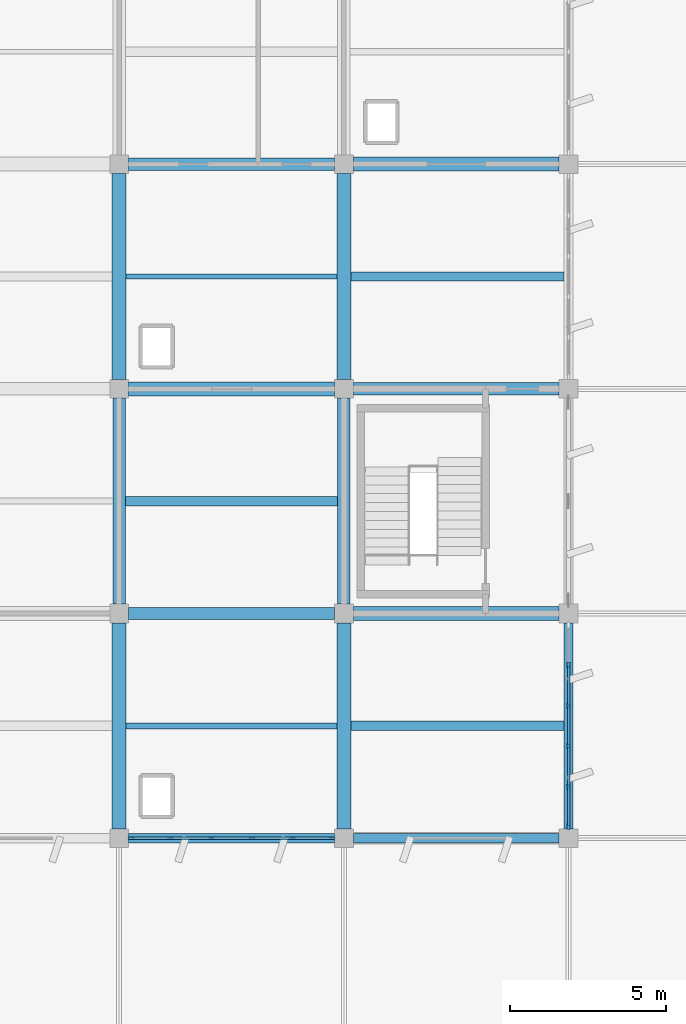
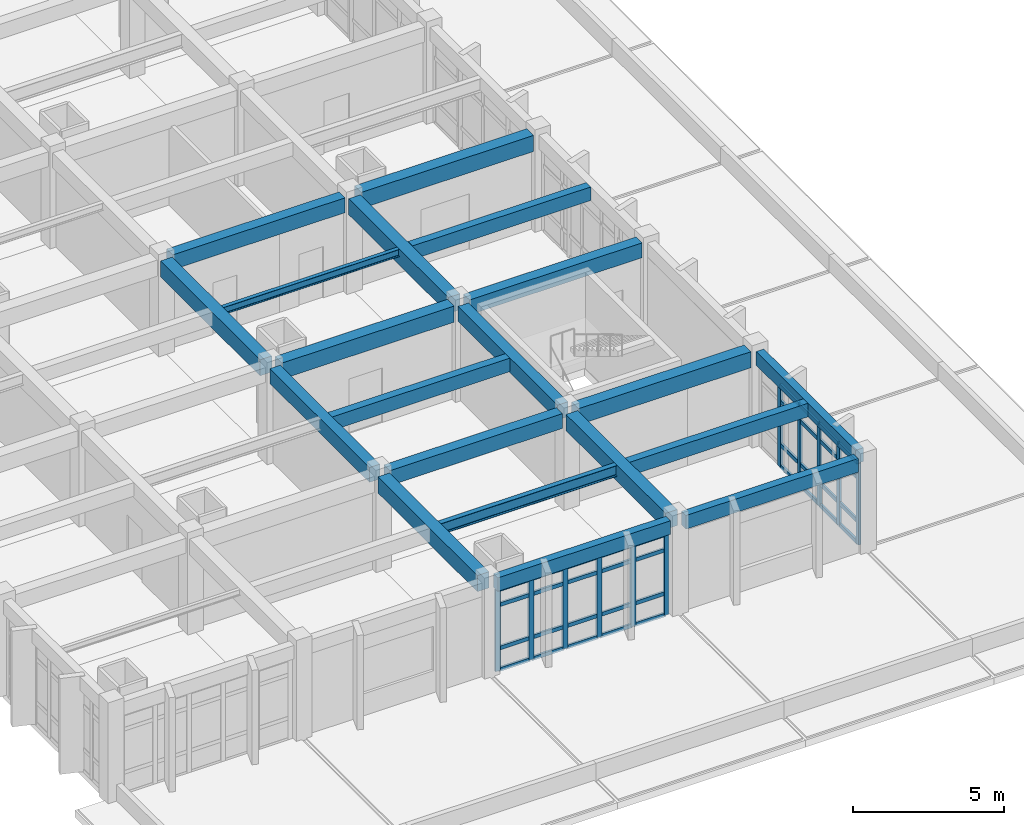
# One storey, part 22 of 62: 49 members, 18 beams, 2 elements without a shape of their own.
"""IFC4 building model written with IfcOpenShell, lengths in metres."""

from ifc_helpers import new_model, si_unit, direction, frame, origin, origin_2d, place, context, subcontext, project, spatial, rectangle, i_section, extrude, material, layer, layer_set, material_profile, profile_set, type_object, element, aggregate, save


model = new_model("IFC4")

# Units and contexts
model_context = context("Model", 3, precision=1e-05, world=origin(), true_north=direction((0.0, 1.0)))
body_context = subcontext(model_context, "Body", "Model", "MODEL_VIEW")
ifc_project = project(units=[si_unit("LENGTHUNIT", "METRE"), si_unit("AREAUNIT", "SQUARE_METRE"), si_unit("VOLUMEUNIT", "CUBIC_METRE"), si_unit("PLANEANGLEUNIT", "RADIAN"), si_unit("MASSUNIT", "GRAM", prefix="KILO")], contexts=[model_context])

# Site, building, storey
site_placement = place(None, origin())
site = spatial("IfcSite", under=ifc_project, at=site_placement, CompositionType="ELEMENT")
building_placement = place(site_placement, origin())
building = spatial("IfcBuilding", under=site, at=building_placement, Name="Kavelor Marine Aquarium", CompositionType="ELEMENT")
storey_placement = place(building_placement, frame((0.0, 0.0, 13.5)))
storey = spatial("IfcBuildingStorey", under=building, at=storey_placement, Name="L03", CompositionType="ELEMENT", Elevation=13.5)

# Beams
ifc_material_1 = material(Name="Concrete C40/50", Category="concrete")
ifc_material_profile_1 = material_profile(ifc_material_1, rectangle(XDim=0.449951171875, YDim=0.64990234375, at=origin_2d()), Name="RC-BM 450x650")
ifc_profile_set_1 = profile_set([ifc_material_profile_1], Name="Concrete C40/50")
beam_type_1 = type_object("IfcBeamType", Name="BM-B3", PredefinedType="BEAM", material=ifc_profile_set_1)
for number, where, z_axis, x_axis, name in (
    (1, (133.10009765625, 74.800048828125, 3.534912109375), (1.0, 0.0, 0.0), (0.0, 1.0, 0.0), "bm:x:L03:L04:18_10"),
    (2, (140.300048828125, 67.60009765625, 3.534912109375), (1.0, 0.0, 0.0), (0.0, 1.0, 0.0), "bm:x:L03:L04:19_09"),
    (3, (140.300048828125, 82.0, 3.554931640625), (1.0, 0.0, 0.0), (0.0, 1.0, 0.0), "bm:x:L03:L04:19_11"),
):
    element("IfcBeam", number, at=place(storey_placement, frame(where, z_axis=z_axis, x_axis=x_axis)), inside=storey, type_object=beam_type_1, Name=name, PredefinedType="BEAM", context=body_context, shape_type="SweptSolid", body=[
        extrude(rectangle(XDim=0.449951171875, YDim=0.64990234375, at=origin_2d()), origin(), (0.0, 0.0, 1.0), 6.599853515625),
    ])
beam_1_placement = place(storey_placement, frame((132.800048828125, 60.699951171875, 3.534912109375), z_axis=(0.0, 1.0, 0.0), x_axis=(-1.0, 0.0, 0.0)))
element("IfcBeam", 4, at=beam_1_placement, inside=storey, type_object=beam_type_1, Name="bm:y:L03:L04:18_08", PredefinedType="BEAM", context=body_context, shape_type="SweptSolid", body=[
    extrude(rectangle(XDim=0.449951171875, YDim=0.64990234375, at=origin_2d()), origin(), (0.0, 0.0, 1.0), 6.60009765625),
])
beam_2_placement = place(storey_placement, frame((132.800048828125, 75.10009765625, 3.534912109375), z_axis=(0.0, 1.0, 0.0), x_axis=(-1.0, 0.0, 0.0)))
element("IfcBeam", 5, at=beam_2_placement, inside=storey, type_object=beam_type_1, Name="bm:y:L03:L04:18_10", PredefinedType="BEAM", context=body_context, shape_type="SweptSolid", body=[
    extrude(rectangle(XDim=0.449951171875, YDim=0.64990234375, at=origin_2d()), origin(), (0.0, 0.0, 1.0), 6.599853515625),
])
beam_3_placement = place(storey_placement, frame((140.0, 60.699951171875, 3.534912109375), z_axis=(0.0, 1.0, 0.0), x_axis=(-1.0, 0.0, 0.0)))
element("IfcBeam", 6, at=beam_3_placement, inside=storey, type_object=beam_type_1, Name="bm:y:L03:L04:19_08", PredefinedType="BEAM", context=body_context, shape_type="SweptSolid", body=[
    extrude(rectangle(XDim=0.449951171875, YDim=0.64990234375, at=origin_2d()), origin(), (0.0, 0.0, 1.0), 6.60009765625),
])
beam_4_placement = place(storey_placement, frame((140.0, 75.10009765625, 3.534912109375), z_axis=(0.0, 1.0, 0.0), x_axis=(-1.0, 0.0, 0.0)))
element("IfcBeam", 7, at=beam_4_placement, inside=storey, type_object=beam_type_1, Name="bm:y:L03:L04:19_10", PredefinedType="BEAM", context=body_context, shape_type="SweptSolid", body=[
    extrude(rectangle(XDim=0.449951171875, YDim=0.64990234375, at=origin_2d()), origin(), (0.0, 0.0, 1.0), 6.599853515625),
])
ifc_material_2 = material(Name="Concrete C40/50", Category="concrete")
ifc_material_profile_2 = material_profile(ifc_material_2, rectangle(XDim=0.39990234375, YDim=0.60009765625, at=origin_2d()), Name="RC-BM 400x600")
ifc_profile_set_2 = profile_set([ifc_material_profile_2], Name="Concrete C40/50")
beam_type_2 = type_object("IfcBeamType", Name="BM-B4", PredefinedType="BEAM", material=ifc_profile_set_2)
for number, where, z_axis, x_axis, name in (
    (8, (133.10009765625, 67.60009765625, 3.56005859375), (1.0, 0.0, 0.0), (0.0, 1.0, 0.0), "bm:x:L03:L04:18_09"),
    (9, (133.10009765625, 82.0, 3.56005859375), (1.0, 0.0, 0.0), (0.0, 1.0, 0.0), "bm:x:L03:L04:18_11"),
    (10, (140.300048828125, 74.800048828125, 3.580078125), (1.0, 0.0, 0.0), (0.0, 1.0, 0.0), "bm:x:L03:L04:19_10"),
):
    element("IfcBeam", number, at=place(storey_placement, frame(where, z_axis=z_axis, x_axis=x_axis)), inside=storey, type_object=beam_type_2, Name=name, PredefinedType="BEAM", context=body_context, shape_type="SweptSolid", body=[
        extrude(rectangle(XDim=0.39990234375, YDim=0.60009765625, at=origin_2d()), origin(), (0.0, 0.0, 1.0), 6.599853515625),
    ])
for number, where, z_axis, x_axis, name in (
    (11, (132.800048828125, 67.89990234375, 3.56005859375), (0.0, 1.0, 0.0), (-1.0, 0.0, 0.0), "bm:y:L03:L04:18_09"),
    (12, (140.0, 67.89990234375, 3.56005859375), (0.0, 1.0, 0.0), (-1.0, 0.0, 0.0), "bm:y:L03:L04:19_09"),
):
    element("IfcBeam", number, at=place(storey_placement, frame(where, z_axis=z_axis, x_axis=x_axis)), inside=storey, type_object=beam_type_2, Name=name, PredefinedType="BEAM", context=body_context, shape_type="SweptSolid", body=[
        extrude(rectangle(XDim=0.39990234375, YDim=0.60009765625, at=origin_2d()), origin(), (0.0, 0.0, 1.0), 6.60009765625),
    ])
ifc_material_3 = material(Name="Concrete C40/50", Category="concrete")
ifc_material_profile_3 = material_profile(ifc_material_3, rectangle(XDim=0.300048828125, YDim=0.550048828125, at=origin_2d()), Name="RC-JS 300x550")
ifc_profile_set_3 = profile_set([ifc_material_profile_3], Name="Concrete C40/50")
beam_type_3 = type_object("IfcBeamType", Name="BM-JS2", PredefinedType="JOIST", material=ifc_profile_set_3)
beam_5_placement = place(storey_placement, frame((133.0, 71.199951171875, 3.5849609375), z_axis=(1.0, 0.0, 0.0), x_axis=(0.0, 1.0, 0.0)))
element("IfcBeam", 13, at=beam_5_placement, inside=storey, type_object=beam_type_3, Name="js:L03:L04:18_09", PredefinedType="JOIST", context=body_context, shape_type="SweptSolid", body=[
    extrude(rectangle(XDim=0.300048828125, YDim=0.550048828125, at=origin_2d()), origin(), (0.0, 0.0, 1.0), 6.800048828125),
])
for number, where, z_axis, x_axis, name in (
    (14, (140.22509765625, 64.0, 3.5849609375), (1.0, 0.0, 0.0), (0.0, 1.0, 0.0), "js:L03:L04:19_08"),
    (15, (140.22509765625, 78.39990234375, 3.60498046875), (1.0, 0.0, 0.0), (0.0, 1.0, 0.0), "js:L03:L04:19_10"),
):
    element("IfcBeam", number, at=place(storey_placement, frame(where, z_axis=z_axis, x_axis=x_axis)), inside=storey, type_object=beam_type_3, Name=name, PredefinedType="JOIST", context=body_context, shape_type="SweptSolid", body=[
        extrude(rectangle(XDim=0.300048828125, YDim=0.550048828125, at=origin_2d()), origin(), (0.0, 0.0, 1.0), 6.824951171875),
    ])
ifc_material_4 = material(Name="Concrete C40/50", Category="concrete")
ifc_material_profile_4 = material_profile(ifc_material_4, rectangle(XDim=0.300048828125, YDim=0.550048828125, at=origin_2d()), Name="RC-SP 300x550")
ifc_profile_set_4 = profile_set([ifc_material_profile_4], Name="Concrete C40/50")
beam_type_4 = type_object("IfcBeamType", Name="BM-SP2", PredefinedType="SPANDREL", material=ifc_profile_set_4)
for number, where, z_axis, x_axis, name in (
    (16, (133.10009765625, 60.39990234375, 3.5849609375), (1.0, 0.0, 0.0), (0.0, 1.0, 0.0), "bm:x:L03:L04:18_08"),
    (17, (140.300048828125, 60.39990234375, 3.5849609375), (1.0, 0.0, 0.0), (0.0, 1.0, 0.0), "bm:x:L03:L04:19_08"),
):
    element("IfcBeam", number, at=place(storey_placement, frame(where, z_axis=z_axis, x_axis=x_axis)), inside=storey, type_object=beam_type_4, Name=name, PredefinedType="SPANDREL", context=body_context, shape_type="SweptSolid", body=[
        extrude(rectangle(XDim=0.300048828125, YDim=0.550048828125, at=origin_2d()), origin(), (0.0, 0.0, 1.0), 6.599853515625),
    ])
beam_6_placement = place(storey_placement, frame((147.199951171875, 60.699951171875, 3.5849609375), z_axis=(0.0, 1.0, 0.0), x_axis=(-1.0, 0.0, 0.0)))
element("IfcBeam", 18, at=beam_6_placement, inside=storey, type_object=beam_type_4, Name="bm:y:L03:L04:20_08", PredefinedType="SPANDREL", context=body_context, shape_type="SweptSolid", body=[
    extrude(rectangle(XDim=0.300048828125, YDim=0.550048828125, at=origin_2d()), origin(), (0.0, 0.0, 1.0), 6.60009765625),
])

# Curtain wall, members
ifc_material_5 = material(Name="Thermally Broken Aluminium and Low-E Glass", Category="aluminium")
ifc_layer = layer(ifc_material_5, 0.2119140625)
ifc_layer_set = layer_set([ifc_layer], Name="CW-SYS9")
curtain_wall_type = type_object("IfcCurtainWallType", Name="CW-SYS9", PredefinedType="USERDEFINED", material=ifc_layer_set)
curtain_wall_1_placement = place(storey_placement, origin())
curtain_wall_1 = element("IfcCurtainWall", 19, at=curtain_wall_1_placement, inside=storey, type_object=curtain_wall_type, Name="cw:x:L03:18_08", ObjectType="Curtain Wall", PredefinedType="USERDEFINED")
ifc_material_6 = material(Name="Anodised Aluminium Alloy 6063-T6", Category="aluminium")
ifc_material_profile_5 = material_profile(ifc_material_6, rectangle(XDim=0.0849609375, YDim=0.18994140625, at=origin_2d()), Name="CW-MUL 85x190")
ifc_profile_set_5 = profile_set([ifc_material_profile_5], Name="Anodised Aluminium Alloy 6063-T6")
member_type_1 = type_object("IfcMemberType", Name="CWM-3", PredefinedType="MULLION", material=ifc_profile_set_5)
member_1_placement = place(storey_placement, frame((139.625, 60.39990234375, 0.0), z_axis=(0.0, 0.0, 1.0), x_axis=(0.0, -1.0, 0.0)))
member_1 = element("IfcMember", 20, at=member_1_placement, type_object=member_type_1, Name="CW09 mullion 1", PredefinedType="MULLION", context=body_context, shape_type="SweptSolid", body=[
    extrude(rectangle(XDim=0.0849609375, YDim=0.18994140625, at=origin_2d()), origin(), (0.0, 0.0, 1.0), 3.300048828125),
])
member_2_placement = place(storey_placement, frame((138.35302734375, 60.39990234375, 0.0), z_axis=(0.0, 0.0, 1.0), x_axis=(0.0, -1.0, 0.0)))
member_2 = element("IfcMember", 21, at=member_2_placement, type_object=member_type_1, Name="CW09 mullion 2", PredefinedType="MULLION", context=body_context, shape_type="SweptSolid", body=[
    extrude(rectangle(XDim=0.0849609375, YDim=0.18994140625, at=origin_2d()), origin(), (0.0, 0.0, 1.0), 3.300048828125),
])
member_3_placement = place(storey_placement, frame((137.051025390625, 60.39990234375, 0.0), z_axis=(0.0, 0.0, 1.0), x_axis=(0.0, -1.0, 0.0)))
member_3 = element("IfcMember", 22, at=member_3_placement, type_object=member_type_1, Name="CW09 mullion 3", PredefinedType="MULLION", context=body_context, shape_type="SweptSolid", body=[
    extrude(rectangle(XDim=0.0849609375, YDim=0.18994140625, at=origin_2d()), origin(), (0.0, 0.0, 1.0), 3.300048828125),
])
member_4_placement = place(storey_placement, frame((135.7490234375, 60.39990234375, 0.0), z_axis=(0.0, 0.0, 1.0), x_axis=(0.0, -1.0, 0.0)))
member_4 = element("IfcMember", 23, at=member_4_placement, type_object=member_type_1, Name="CW09 mullion 4", PredefinedType="MULLION", context=body_context, shape_type="SweptSolid", body=[
    extrude(rectangle(XDim=0.0849609375, YDim=0.18994140625, at=origin_2d()), origin(), (0.0, 0.0, 1.0), 3.300048828125),
])
member_5_placement = place(storey_placement, frame((134.447021484375, 60.39990234375, 0.0), z_axis=(0.0, 0.0, 1.0), x_axis=(0.0, -1.0, 0.0)))
member_5 = element("IfcMember", 24, at=member_5_placement, type_object=member_type_1, Name="CW09 mullion 5", PredefinedType="MULLION", context=body_context, shape_type="SweptSolid", body=[
    extrude(rectangle(XDim=0.0849609375, YDim=0.18994140625, at=origin_2d()), origin(), (0.0, 0.0, 1.0), 3.300048828125),
])
member_6_placement = place(storey_placement, frame((133.175048828125, 60.39990234375, 0.0), z_axis=(0.0, 0.0, 1.0), x_axis=(0.0, -1.0, 0.0)))
member_6 = element("IfcMember", 25, at=member_6_placement, type_object=member_type_1, Name="CW09 mullion 6", PredefinedType="MULLION", context=body_context, shape_type="SweptSolid", body=[
    extrude(rectangle(XDim=0.0849609375, YDim=0.18994140625, at=origin_2d()), origin(), (0.0, 0.0, 1.0), 3.300048828125),
])

curtain_wall_2_placement = place(storey_placement, origin())
curtain_wall_2 = element("IfcCurtainWall", 26, at=curtain_wall_2_placement, inside=storey, type_object=curtain_wall_type, Name="cw:y:L03:20_08", ObjectType="Curtain Wall", PredefinedType="USERDEFINED")
member_7_placement = place(storey_placement, frame((147.199951171875, 60.77490234375, 0.0), z_axis=(0.0, 0.0, 1.0), x_axis=(-1.0, 0.0, 0.0)))
member_7 = element("IfcMember", 27, at=member_7_placement, type_object=member_type_1, Name="CW09 mullion 1", PredefinedType="MULLION", context=body_context, shape_type="SweptSolid", body=[
    extrude(rectangle(XDim=0.0849609375, YDim=0.18994140625, at=origin_2d()), origin(), (0.0, 0.0, 1.0), 3.300048828125),
])
member_8_placement = place(storey_placement, frame((147.199951171875, 62.047119140625, 0.0), z_axis=(0.0, 0.0, 1.0), x_axis=(-1.0, 0.0, 0.0)))
member_8 = element("IfcMember", 28, at=member_8_placement, type_object=member_type_1, Name="CW09 mullion 2", PredefinedType="MULLION", context=body_context, shape_type="SweptSolid", body=[
    extrude(rectangle(XDim=0.0849609375, YDim=0.18994140625, at=origin_2d()), origin(), (0.0, 0.0, 1.0), 3.300048828125),
])
member_9_placement = place(storey_placement, frame((147.199951171875, 63.34912109375, 0.0), z_axis=(0.0, 0.0, 1.0), x_axis=(-1.0, 0.0, 0.0)))
member_9 = element("IfcMember", 29, at=member_9_placement, type_object=member_type_1, Name="CW09 mullion 3", PredefinedType="MULLION", context=body_context, shape_type="SweptSolid", body=[
    extrude(rectangle(XDim=0.0849609375, YDim=0.18994140625, at=origin_2d()), origin(), (0.0, 0.0, 1.0), 3.300048828125),
])
member_10_placement = place(storey_placement, frame((147.199951171875, 64.65087890625, 0.0), z_axis=(0.0, 0.0, 1.0), x_axis=(-1.0, 0.0, 0.0)))
member_10 = element("IfcMember", 30, at=member_10_placement, type_object=member_type_1, Name="CW09 mullion 4", PredefinedType="MULLION", context=body_context, shape_type="SweptSolid", body=[
    extrude(rectangle(XDim=0.0849609375, YDim=0.18994140625, at=origin_2d()), origin(), (0.0, 0.0, 1.0), 3.300048828125),
])
member_11_placement = place(storey_placement, frame((147.199951171875, 65.952880859375, 0.0), z_axis=(0.0, 0.0, 1.0), x_axis=(-1.0, 0.0, 0.0)))
member_11 = element("IfcMember", 31, at=member_11_placement, type_object=member_type_1, Name="CW09 mullion 5", PredefinedType="MULLION", context=body_context, shape_type="SweptSolid", body=[
    extrude(rectangle(XDim=0.0849609375, YDim=0.18994140625, at=origin_2d()), origin(), (0.0, 0.0, 1.0), 3.300048828125),
])

# Member
ifc_material_7 = material(Name="Anodised Aluminium Alloy 6063-T6", Category="aluminium")
ifc_material_profile_6 = material_profile(ifc_material_7, rectangle(XDim=0.080078125, YDim=0.155029296875, at=origin_2d()), Name="CW-TRN 80x155")
ifc_profile_set_6 = profile_set([ifc_material_profile_6], Name="Anodised Aluminium Alloy 6063-T6")
member_type_2 = type_object("IfcMemberType", Name="CWT-2", PredefinedType="USERDEFINED", material=ifc_profile_set_6)
member_12_placement = place(storey_placement, frame((139.594970703125, 60.39990234375, 0.032470703125), z_axis=(-1.0, 0.0, 0.0), x_axis=(0.0, -1.0, 0.0)))
member_12 = element("IfcMember", 32, at=member_12_placement, type_object=member_type_2, Name="CW09 transom 1.1", ObjectType="TRANSOM", PredefinedType="USERDEFINED", context=body_context, shape_type="SweptSolid", body=[
    extrude(rectangle(XDim=0.080078125, YDim=0.155029296875, at=origin_2d()), origin(), (0.0, 0.0, 1.0), 1.2119140625),
])

member_13_placement = place(storey_placement, frame((139.594970703125, 60.39990234375, 0.89990234375), z_axis=(-1.0, 0.0, 0.0), x_axis=(0.0, -1.0, 0.0)))
member_13 = element("IfcMember", 33, at=member_13_placement, type_object=member_type_2, Name="CW09 transom 1.2", ObjectType="TRANSOM", PredefinedType="USERDEFINED", context=body_context, shape_type="SweptSolid", body=[
    extrude(rectangle(XDim=0.080078125, YDim=0.155029296875, at=origin_2d()), origin(), (0.0, 0.0, 1.0), 1.2119140625),
])

member_14_placement = place(storey_placement, frame((139.594970703125, 60.39990234375, 2.64990234375), z_axis=(-1.0, 0.0, 0.0), x_axis=(0.0, -1.0, 0.0)))
member_14 = element("IfcMember", 34, at=member_14_placement, type_object=member_type_2, Name="CW09 transom 1.3", ObjectType="TRANSOM", PredefinedType="USERDEFINED", context=body_context, shape_type="SweptSolid", body=[
    extrude(rectangle(XDim=0.080078125, YDim=0.155029296875, at=origin_2d()), origin(), (0.0, 0.0, 1.0), 1.2119140625),
])

member_15_placement = place(storey_placement, frame((139.594970703125, 60.39990234375, 3.267578125), z_axis=(-1.0, 0.0, 0.0), x_axis=(0.0, -1.0, 0.0)))
member_15 = element("IfcMember", 35, at=member_15_placement, type_object=member_type_2, Name="CW09 transom 1.4", ObjectType="TRANSOM", PredefinedType="USERDEFINED", context=body_context, shape_type="SweptSolid", body=[
    extrude(rectangle(XDim=0.080078125, YDim=0.155029296875, at=origin_2d()), origin(), (0.0, 0.0, 1.0), 1.2119140625),
])

member_16_placement = place(storey_placement, frame((138.322998046875, 60.39990234375, 0.032470703125), z_axis=(-1.0, 0.0, 0.0), x_axis=(0.0, -1.0, 0.0)))
member_16 = element("IfcMember", 36, at=member_16_placement, type_object=member_type_2, Name="CW09 transom 2.1", ObjectType="TRANSOM", PredefinedType="USERDEFINED", context=body_context, shape_type="SweptSolid", body=[
    extrude(rectangle(XDim=0.080078125, YDim=0.155029296875, at=origin_2d()), origin(), (0.0, 0.0, 1.0), 1.241943359375),
])

member_17_placement = place(storey_placement, frame((138.322998046875, 60.39990234375, 0.89990234375), z_axis=(-1.0, 0.0, 0.0), x_axis=(0.0, -1.0, 0.0)))
member_17 = element("IfcMember", 37, at=member_17_placement, type_object=member_type_2, Name="CW09 transom 2.2", ObjectType="TRANSOM", PredefinedType="USERDEFINED", context=body_context, shape_type="SweptSolid", body=[
    extrude(rectangle(XDim=0.080078125, YDim=0.155029296875, at=origin_2d()), origin(), (0.0, 0.0, 1.0), 1.241943359375),
])

member_18_placement = place(storey_placement, frame((138.322998046875, 60.39990234375, 2.64990234375), z_axis=(-1.0, 0.0, 0.0), x_axis=(0.0, -1.0, 0.0)))
member_18 = element("IfcMember", 38, at=member_18_placement, type_object=member_type_2, Name="CW09 transom 2.3", ObjectType="TRANSOM", PredefinedType="USERDEFINED", context=body_context, shape_type="SweptSolid", body=[
    extrude(rectangle(XDim=0.080078125, YDim=0.155029296875, at=origin_2d()), origin(), (0.0, 0.0, 1.0), 1.241943359375),
])

member_19_placement = place(storey_placement, frame((138.322998046875, 60.39990234375, 3.267578125), z_axis=(-1.0, 0.0, 0.0), x_axis=(0.0, -1.0, 0.0)))
member_19 = element("IfcMember", 39, at=member_19_placement, type_object=member_type_2, Name="CW09 transom 2.4", ObjectType="TRANSOM", PredefinedType="USERDEFINED", context=body_context, shape_type="SweptSolid", body=[
    extrude(rectangle(XDim=0.080078125, YDim=0.155029296875, at=origin_2d()), origin(), (0.0, 0.0, 1.0), 1.241943359375),
])

member_20_placement = place(storey_placement, frame((137.02099609375, 60.39990234375, 0.032470703125), z_axis=(-1.0, 0.0, 0.0), x_axis=(0.0, -1.0, 0.0)))
member_20 = element("IfcMember", 40, at=member_20_placement, type_object=member_type_2, Name="CW09 transom 3.1", ObjectType="TRANSOM", PredefinedType="USERDEFINED", context=body_context, shape_type="SweptSolid", body=[
    extrude(rectangle(XDim=0.080078125, YDim=0.155029296875, at=origin_2d()), origin(), (0.0, 0.0, 1.0), 1.241943359375),
])

member_21_placement = place(storey_placement, frame((137.02099609375, 60.39990234375, 0.89990234375), z_axis=(-1.0, 0.0, 0.0), x_axis=(0.0, -1.0, 0.0)))
member_21 = element("IfcMember", 41, at=member_21_placement, type_object=member_type_2, Name="CW09 transom 3.2", ObjectType="TRANSOM", PredefinedType="USERDEFINED", context=body_context, shape_type="SweptSolid", body=[
    extrude(rectangle(XDim=0.080078125, YDim=0.155029296875, at=origin_2d()), origin(), (0.0, 0.0, 1.0), 1.241943359375),
])

member_22_placement = place(storey_placement, frame((137.02099609375, 60.39990234375, 2.64990234375), z_axis=(-1.0, 0.0, 0.0), x_axis=(0.0, -1.0, 0.0)))
member_22 = element("IfcMember", 42, at=member_22_placement, type_object=member_type_2, Name="CW09 transom 3.3", ObjectType="TRANSOM", PredefinedType="USERDEFINED", context=body_context, shape_type="SweptSolid", body=[
    extrude(rectangle(XDim=0.080078125, YDim=0.155029296875, at=origin_2d()), origin(), (0.0, 0.0, 1.0), 1.241943359375),
])

member_23_placement = place(storey_placement, frame((137.02099609375, 60.39990234375, 3.267578125), z_axis=(-1.0, 0.0, 0.0), x_axis=(0.0, -1.0, 0.0)))
member_23 = element("IfcMember", 43, at=member_23_placement, type_object=member_type_2, Name="CW09 transom 3.4", ObjectType="TRANSOM", PredefinedType="USERDEFINED", context=body_context, shape_type="SweptSolid", body=[
    extrude(rectangle(XDim=0.080078125, YDim=0.155029296875, at=origin_2d()), origin(), (0.0, 0.0, 1.0), 1.241943359375),
])

member_24_placement = place(storey_placement, frame((135.718994140625, 60.39990234375, 0.032470703125), z_axis=(-1.0, 0.0, 0.0), x_axis=(0.0, -1.0, 0.0)))
member_24 = element("IfcMember", 44, at=member_24_placement, type_object=member_type_2, Name="CW09 transom 4.1", ObjectType="TRANSOM", PredefinedType="USERDEFINED", context=body_context, shape_type="SweptSolid", body=[
    extrude(rectangle(XDim=0.080078125, YDim=0.155029296875, at=origin_2d()), origin(), (0.0, 0.0, 1.0), 1.241943359375),
])

member_25_placement = place(storey_placement, frame((135.718994140625, 60.39990234375, 0.89990234375), z_axis=(-1.0, 0.0, 0.0), x_axis=(0.0, -1.0, 0.0)))
member_25 = element("IfcMember", 45, at=member_25_placement, type_object=member_type_2, Name="CW09 transom 4.2", ObjectType="TRANSOM", PredefinedType="USERDEFINED", context=body_context, shape_type="SweptSolid", body=[
    extrude(rectangle(XDim=0.080078125, YDim=0.155029296875, at=origin_2d()), origin(), (0.0, 0.0, 1.0), 1.241943359375),
])

member_26_placement = place(storey_placement, frame((135.718994140625, 60.39990234375, 2.64990234375), z_axis=(-1.0, 0.0, 0.0), x_axis=(0.0, -1.0, 0.0)))
member_26 = element("IfcMember", 46, at=member_26_placement, type_object=member_type_2, Name="CW09 transom 4.3", ObjectType="TRANSOM", PredefinedType="USERDEFINED", context=body_context, shape_type="SweptSolid", body=[
    extrude(rectangle(XDim=0.080078125, YDim=0.155029296875, at=origin_2d()), origin(), (0.0, 0.0, 1.0), 1.241943359375),
])

member_27_placement = place(storey_placement, frame((135.718994140625, 60.39990234375, 3.267578125), z_axis=(-1.0, 0.0, 0.0), x_axis=(0.0, -1.0, 0.0)))
member_27 = element("IfcMember", 47, at=member_27_placement, type_object=member_type_2, Name="CW09 transom 4.4", ObjectType="TRANSOM", PredefinedType="USERDEFINED", context=body_context, shape_type="SweptSolid", body=[
    extrude(rectangle(XDim=0.080078125, YDim=0.155029296875, at=origin_2d()), origin(), (0.0, 0.0, 1.0), 1.241943359375),
])

member_28_placement = place(storey_placement, frame((134.4169921875, 60.39990234375, 0.032470703125), z_axis=(-1.0, 0.0, 0.0), x_axis=(0.0, -1.0, 0.0)))
member_28 = element("IfcMember", 48, at=member_28_placement, type_object=member_type_2, Name="CW09 transom 5.1", ObjectType="TRANSOM", PredefinedType="USERDEFINED", context=body_context, shape_type="SweptSolid", body=[
    extrude(rectangle(XDim=0.080078125, YDim=0.155029296875, at=origin_2d()), origin(), (0.0, 0.0, 1.0), 1.2119140625),
])

member_29_placement = place(storey_placement, frame((134.4169921875, 60.39990234375, 0.89990234375), z_axis=(-1.0, 0.0, 0.0), x_axis=(0.0, -1.0, 0.0)))
member_29 = element("IfcMember", 49, at=member_29_placement, type_object=member_type_2, Name="CW09 transom 5.2", ObjectType="TRANSOM", PredefinedType="USERDEFINED", context=body_context, shape_type="SweptSolid", body=[
    extrude(rectangle(XDim=0.080078125, YDim=0.155029296875, at=origin_2d()), origin(), (0.0, 0.0, 1.0), 1.2119140625),
])

member_30_placement = place(storey_placement, frame((134.4169921875, 60.39990234375, 2.64990234375), z_axis=(-1.0, 0.0, 0.0), x_axis=(0.0, -1.0, 0.0)))
member_30 = element("IfcMember", 50, at=member_30_placement, type_object=member_type_2, Name="CW09 transom 5.3", ObjectType="TRANSOM", PredefinedType="USERDEFINED", context=body_context, shape_type="SweptSolid", body=[
    extrude(rectangle(XDim=0.080078125, YDim=0.155029296875, at=origin_2d()), origin(), (0.0, 0.0, 1.0), 1.2119140625),
])

member_31_placement = place(storey_placement, frame((134.4169921875, 60.39990234375, 3.267578125), z_axis=(-1.0, 0.0, 0.0), x_axis=(0.0, -1.0, 0.0)))
member_31 = element("IfcMember", 51, at=member_31_placement, type_object=member_type_2, Name="CW09 transom 5.4", ObjectType="TRANSOM", PredefinedType="USERDEFINED", context=body_context, shape_type="SweptSolid", body=[
    extrude(rectangle(XDim=0.080078125, YDim=0.155029296875, at=origin_2d()), origin(), (0.0, 0.0, 1.0), 1.2119140625),
])

aggregate(curtain_wall_1, [member_1, member_2, member_3, member_4, member_5, member_6, member_12, member_13, member_14, member_15, member_16, member_17, member_18, member_19, member_20, member_21, member_22, member_23, member_24, member_25, member_26, member_27, member_28, member_29, member_30, member_31])

member_32_placement = place(storey_placement, frame((147.199951171875, 60.804931640625, 0.032470703125), z_axis=(0.0, 1.0, 0.0), x_axis=(-1.0, 0.0, 0.0)))
member_32 = element("IfcMember", 52, at=member_32_placement, type_object=member_type_2, Name="CW09 transom 1.1", ObjectType="TRANSOM", PredefinedType="USERDEFINED", context=body_context, shape_type="SweptSolid", body=[
    extrude(rectangle(XDim=0.080078125, YDim=0.155029296875, at=origin_2d()), origin(), (0.0, 0.0, 1.0), 1.212158203125),
])

member_33_placement = place(storey_placement, frame((147.199951171875, 60.804931640625, 0.89990234375), z_axis=(0.0, 1.0, 0.0), x_axis=(-1.0, 0.0, 0.0)))
member_33 = element("IfcMember", 53, at=member_33_placement, type_object=member_type_2, Name="CW09 transom 1.2", ObjectType="TRANSOM", PredefinedType="USERDEFINED", context=body_context, shape_type="SweptSolid", body=[
    extrude(rectangle(XDim=0.080078125, YDim=0.155029296875, at=origin_2d()), origin(), (0.0, 0.0, 1.0), 1.212158203125),
])

member_34_placement = place(storey_placement, frame((147.199951171875, 60.804931640625, 2.64990234375), z_axis=(0.0, 1.0, 0.0), x_axis=(-1.0, 0.0, 0.0)))
member_34 = element("IfcMember", 54, at=member_34_placement, type_object=member_type_2, Name="CW09 transom 1.3", ObjectType="TRANSOM", PredefinedType="USERDEFINED", context=body_context, shape_type="SweptSolid", body=[
    extrude(rectangle(XDim=0.080078125, YDim=0.155029296875, at=origin_2d()), origin(), (0.0, 0.0, 1.0), 1.212158203125),
])

member_35_placement = place(storey_placement, frame((147.199951171875, 60.804931640625, 3.267578125), z_axis=(0.0, 1.0, 0.0), x_axis=(-1.0, 0.0, 0.0)))
member_35 = element("IfcMember", 55, at=member_35_placement, type_object=member_type_2, Name="CW09 transom 1.4", ObjectType="TRANSOM", PredefinedType="USERDEFINED", context=body_context, shape_type="SweptSolid", body=[
    extrude(rectangle(XDim=0.080078125, YDim=0.155029296875, at=origin_2d()), origin(), (0.0, 0.0, 1.0), 1.212158203125),
])

member_36_placement = place(storey_placement, frame((147.199951171875, 62.076904296875, 0.032470703125), z_axis=(0.0, 1.0, 0.0), x_axis=(-1.0, 0.0, 0.0)))
member_36 = element("IfcMember", 56, at=member_36_placement, type_object=member_type_2, Name="CW09 transom 2.1", ObjectType="TRANSOM", PredefinedType="USERDEFINED", context=body_context, shape_type="SweptSolid", body=[
    extrude(rectangle(XDim=0.080078125, YDim=0.155029296875, at=origin_2d()), origin(), (0.0, 0.0, 1.0), 1.2421875),
])

member_37_placement = place(storey_placement, frame((147.199951171875, 62.076904296875, 0.89990234375), z_axis=(0.0, 1.0, 0.0), x_axis=(-1.0, 0.0, 0.0)))
member_37 = element("IfcMember", 57, at=member_37_placement, type_object=member_type_2, Name="CW09 transom 2.2", ObjectType="TRANSOM", PredefinedType="USERDEFINED", context=body_context, shape_type="SweptSolid", body=[
    extrude(rectangle(XDim=0.080078125, YDim=0.155029296875, at=origin_2d()), origin(), (0.0, 0.0, 1.0), 1.2421875),
])

member_38_placement = place(storey_placement, frame((147.199951171875, 62.076904296875, 2.64990234375), z_axis=(0.0, 1.0, 0.0), x_axis=(-1.0, 0.0, 0.0)))
member_38 = element("IfcMember", 58, at=member_38_placement, type_object=member_type_2, Name="CW09 transom 2.3", ObjectType="TRANSOM", PredefinedType="USERDEFINED", context=body_context, shape_type="SweptSolid", body=[
    extrude(rectangle(XDim=0.080078125, YDim=0.155029296875, at=origin_2d()), origin(), (0.0, 0.0, 1.0), 1.2421875),
])

member_39_placement = place(storey_placement, frame((147.199951171875, 62.076904296875, 3.267578125), z_axis=(0.0, 1.0, 0.0), x_axis=(-1.0, 0.0, 0.0)))
member_39 = element("IfcMember", 59, at=member_39_placement, type_object=member_type_2, Name="CW09 transom 2.4", ObjectType="TRANSOM", PredefinedType="USERDEFINED", context=body_context, shape_type="SweptSolid", body=[
    extrude(rectangle(XDim=0.080078125, YDim=0.155029296875, at=origin_2d()), origin(), (0.0, 0.0, 1.0), 1.2421875),
])

member_40_placement = place(storey_placement, frame((147.199951171875, 63.37890625, 0.032470703125), z_axis=(0.0, 1.0, 0.0), x_axis=(-1.0, 0.0, 0.0)))
member_40 = element("IfcMember", 60, at=member_40_placement, type_object=member_type_2, Name="CW09 transom 3.1", ObjectType="TRANSOM", PredefinedType="USERDEFINED", context=body_context, shape_type="SweptSolid", body=[
    extrude(rectangle(XDim=0.080078125, YDim=0.155029296875, at=origin_2d()), origin(), (0.0, 0.0, 1.0), 1.2421875),
])

member_41_placement = place(storey_placement, frame((147.199951171875, 63.37890625, 0.89990234375), z_axis=(0.0, 1.0, 0.0), x_axis=(-1.0, 0.0, 0.0)))
member_41 = element("IfcMember", 61, at=member_41_placement, type_object=member_type_2, Name="CW09 transom 3.2", ObjectType="TRANSOM", PredefinedType="USERDEFINED", context=body_context, shape_type="SweptSolid", body=[
    extrude(rectangle(XDim=0.080078125, YDim=0.155029296875, at=origin_2d()), origin(), (0.0, 0.0, 1.0), 1.2421875),
])

member_42_placement = place(storey_placement, frame((147.199951171875, 63.37890625, 2.64990234375), z_axis=(0.0, 1.0, 0.0), x_axis=(-1.0, 0.0, 0.0)))
member_42 = element("IfcMember", 62, at=member_42_placement, type_object=member_type_2, Name="CW09 transom 3.3", ObjectType="TRANSOM", PredefinedType="USERDEFINED", context=body_context, shape_type="SweptSolid", body=[
    extrude(rectangle(XDim=0.080078125, YDim=0.155029296875, at=origin_2d()), origin(), (0.0, 0.0, 1.0), 1.2421875),
])

member_43_placement = place(storey_placement, frame((147.199951171875, 63.37890625, 3.267578125), z_axis=(0.0, 1.0, 0.0), x_axis=(-1.0, 0.0, 0.0)))
member_43 = element("IfcMember", 63, at=member_43_placement, type_object=member_type_2, Name="CW09 transom 3.4", ObjectType="TRANSOM", PredefinedType="USERDEFINED", context=body_context, shape_type="SweptSolid", body=[
    extrude(rectangle(XDim=0.080078125, YDim=0.155029296875, at=origin_2d()), origin(), (0.0, 0.0, 1.0), 1.2421875),
])

member_44_placement = place(storey_placement, frame((147.199951171875, 64.680908203125, 0.032470703125), z_axis=(0.0, 1.0, 0.0), x_axis=(-1.0, 0.0, 0.0)))
member_44 = element("IfcMember", 64, at=member_44_placement, type_object=member_type_2, Name="CW09 transom 4.1", ObjectType="TRANSOM", PredefinedType="USERDEFINED", context=body_context, shape_type="SweptSolid", body=[
    extrude(rectangle(XDim=0.080078125, YDim=0.155029296875, at=origin_2d()), origin(), (0.0, 0.0, 1.0), 1.2421875),
])

member_45_placement = place(storey_placement, frame((147.199951171875, 64.680908203125, 0.89990234375), z_axis=(0.0, 1.0, 0.0), x_axis=(-1.0, 0.0, 0.0)))
member_45 = element("IfcMember", 65, at=member_45_placement, type_object=member_type_2, Name="CW09 transom 4.2", ObjectType="TRANSOM", PredefinedType="USERDEFINED", context=body_context, shape_type="SweptSolid", body=[
    extrude(rectangle(XDim=0.080078125, YDim=0.155029296875, at=origin_2d()), origin(), (0.0, 0.0, 1.0), 1.2421875),
])

member_46_placement = place(storey_placement, frame((147.199951171875, 64.680908203125, 2.64990234375), z_axis=(0.0, 1.0, 0.0), x_axis=(-1.0, 0.0, 0.0)))
member_46 = element("IfcMember", 66, at=member_46_placement, type_object=member_type_2, Name="CW09 transom 4.3", ObjectType="TRANSOM", PredefinedType="USERDEFINED", context=body_context, shape_type="SweptSolid", body=[
    extrude(rectangle(XDim=0.080078125, YDim=0.155029296875, at=origin_2d()), origin(), (0.0, 0.0, 1.0), 1.2421875),
])

member_47_placement = place(storey_placement, frame((147.199951171875, 64.680908203125, 3.267578125), z_axis=(0.0, 1.0, 0.0), x_axis=(-1.0, 0.0, 0.0)))
member_47 = element("IfcMember", 67, at=member_47_placement, type_object=member_type_2, Name="CW09 transom 4.4", ObjectType="TRANSOM", PredefinedType="USERDEFINED", context=body_context, shape_type="SweptSolid", body=[
    extrude(rectangle(XDim=0.080078125, YDim=0.155029296875, at=origin_2d()), origin(), (0.0, 0.0, 1.0), 1.2421875),
])

aggregate(curtain_wall_2, [member_7, member_8, member_9, member_10, member_11, member_32, member_33, member_34, member_35, member_36, member_37, member_38, member_39, member_40, member_41, member_42, member_43, member_44, member_45, member_46, member_47])

# Members
ifc_material_8 = material(Name="Steel S355", Category="steel")
ifc_material_profile_7 = material_profile(ifc_material_8, i_section(OverallWidth=0.18994140625, OverallDepth=0.449951171875, WebThickness=0.009521484375, FlangeThickness=0.0146484375, FilletRadius=0.02099609375, at=origin_2d()), Name="IPE 450")
ifc_profile_set_7 = profile_set([ifc_material_profile_7], Name="Steel S355")
member_type_3 = type_object("IfcMemberType", Name="PR-SJ2", PredefinedType="PURLIN", material=ifc_profile_set_7)
member_48_placement = place(storey_placement, frame((133.02490234375, 64.0, 3.635009765625), z_axis=(1.0, 0.0, 0.0), x_axis=(0.0, 1.0, 0.0)))
element("IfcMember", 68, at=member_48_placement, inside=storey, type_object=member_type_3, Name="js:L03:L04:18_08", PredefinedType="PURLIN", context=body_context, shape_type="SweptSolid", body=[
    extrude(i_section(OverallWidth=0.18994140625, OverallDepth=0.449951171875, WebThickness=0.009521484375, FlangeThickness=0.0146484375, FilletRadius=0.02099609375, at=origin_2d()), origin(), (0.0, 0.0, 1.0), 6.75),
])
ifc_material_9 = material(Name="Steel S355", Category="steel")
ifc_material_profile_8 = material_profile(ifc_material_9, i_section(OverallWidth=0.14990234375, OverallDepth=0.300048828125, WebThickness=0.007080078125, FlangeThickness=0.0107421875, FilletRadius=0.014892578125, at=origin_2d()), Name="IPE 300")
ifc_profile_set_8 = profile_set([ifc_material_profile_8], Name="Steel S355")
member_type_4 = type_object("IfcMemberType", Name="PR-SJ4", PredefinedType="PURLIN", material=ifc_profile_set_8)
member_49_placement = place(storey_placement, frame((133.02490234375, 78.39990234375, 3.7099609375), z_axis=(1.0, 0.0, 0.0), x_axis=(0.0, 1.0, 0.0)))
element("IfcMember", 69, at=member_49_placement, inside=storey, type_object=member_type_4, Name="js:L03:L04:18_10", PredefinedType="PURLIN", context=body_context, shape_type="SweptSolid", body=[
    extrude(i_section(OverallWidth=0.14990234375, OverallDepth=0.300048828125, WebThickness=0.007080078125, FlangeThickness=0.0107421875, FilletRadius=0.014892578125, at=origin_2d()), origin(), (0.0, 0.0, 1.0), 6.75),
])

save(model, "model.ifc")
